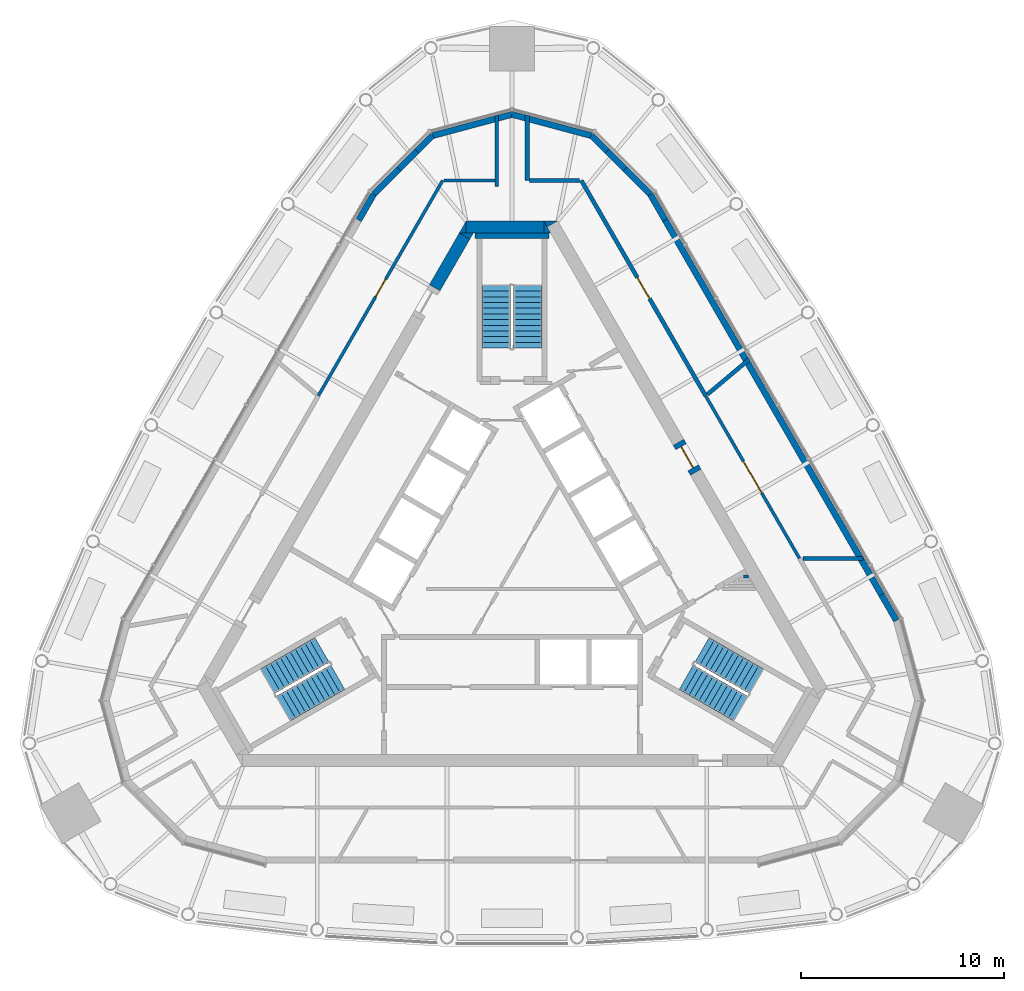
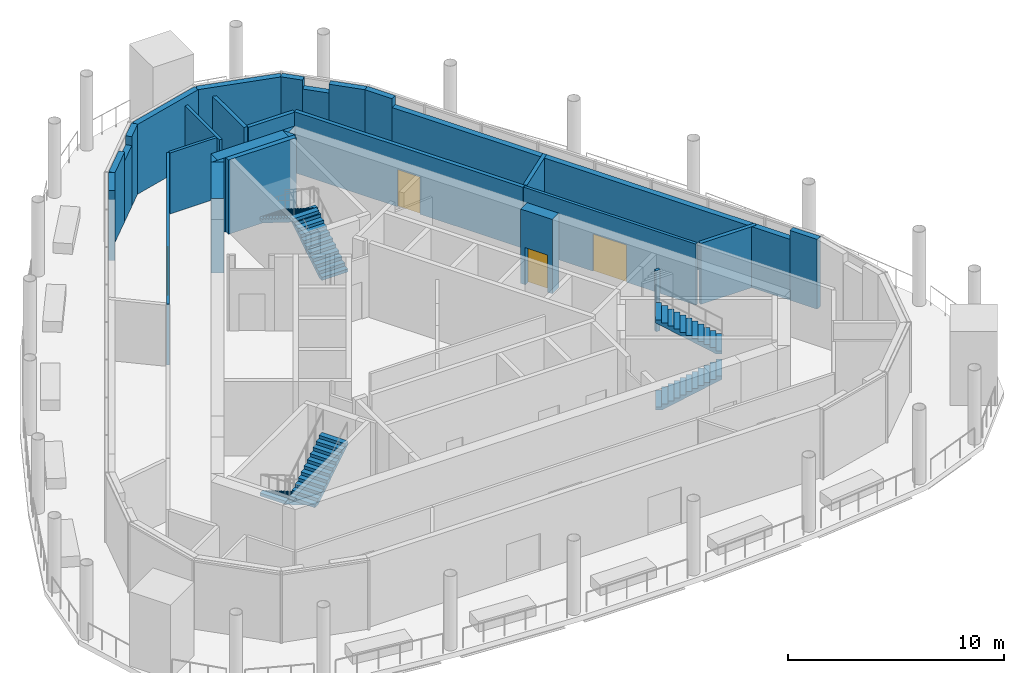
# One storey, part 9 of 15: 30 walls, 6 stair flights, 4 doors, 4 openings, 3 elements without a shape of their own.
"""IFC4 building model written with IfcOpenShell, lengths in metres."""

from ifc_helpers import new_model, si_unit, direction, frame, frame_2d, origin, place, context, subcontext, project, spatial, polyline, rectangle, outline, extrude, material, layer, layer_set, type_object, element, fill, aggregate, save


model = new_model("IFC4")

# Units and contexts
model_context = context("Model", 3, precision=1e-05, world=origin(), true_north=direction((0.0, 1.0)))
body_context = subcontext(model_context, "Body", "Model", "MODEL_VIEW")
ifc_project = project(units=[si_unit("LENGTHUNIT", "METRE"), si_unit("AREAUNIT", "SQUARE_METRE"), si_unit("VOLUMEUNIT", "CUBIC_METRE"), si_unit("PLANEANGLEUNIT", "RADIAN"), si_unit("MASSUNIT", "GRAM", prefix="KILO")], contexts=[model_context])

# Site, building, storey
site_placement = place(None, origin())
site = spatial("IfcSite", under=ifc_project, at=site_placement, CompositionType="ELEMENT")
building_placement = place(site_placement, origin())
building = spatial("IfcBuilding", under=site, at=building_placement, Name="Mestral Congress Tower", CompositionType="ELEMENT")
storey_placement = place(building_placement, frame((0.0, 0.0, 327.60009765625)))
storey = spatial("IfcBuildingStorey", under=building, at=storey_placement, Name="L76", CompositionType="ELEMENT", Elevation=327.60009765625)

# Walls
ifc_material_1 = material(Name="Fire-rated board partition")
ifc_layer_1 = layer(ifc_material_1, 0.14990234375)
ifc_layer_set_1 = layer_set([ifc_layer_1], Name="Fire-rated board partition")
wall_type_1 = type_object("IfcWallType", Name="Core partition 150", PredefinedType="PARTITIONING", material=ifc_layer_set_1)
wall_1_placement = place(storey_placement, frame((11.4013671875, -0.89990234375, 0.0), z_axis=(0.0, 0.0, 1.0), x_axis=(1.0, 0.0, 0.0)))
element("IfcWall", 1, at=wall_1_placement, inside=storey, type_object=wall_type_1, Name="L76 core wall", PredefinedType="PARTITIONING", context=body_context, shape_type="SweptSolid", body=[
    extrude(rectangle(XDim=0.224365234375, YDim=0.14990234375, at=frame_2d((0.1123046875, 0.0))), origin(), (0.0, 0.0, 1.0), 3.449951171875),
])
ifc_material_2 = material(Name="Concrete C60/75", Category="concrete")
ifc_layer_2 = layer(ifc_material_2, 0.60009765625)
ifc_layer_set_2 = layer_set([ifc_layer_2], Name="Concrete C60/75")
wall_type_2 = type_object("IfcWallType", Name="Core wall RC 600", PredefinedType="SOLIDWALL", material=ifc_layer_set_2)
placement = place(storey_placement, origin())
element("IfcWall", 2, at=placement, inside=storey, type_object=wall_type_2, Name="L76 core wall", PredefinedType="SOLIDWALL", context=body_context, shape_type="SweptSolid", body=[
    extrude(outline(polyline([(1.558837890625, 16.60009765625), (2.23486328125, 16.60009765625), (1.727783203125, 16.307373046875), (1.558837890625, 16.60009765625)])), origin(), (0.0, 0.0, 1.0), 4.199951171875),
])
wall_3_placement = place(storey_placement, frame((-2.258056640625, 16.300048828125, 0.0), z_axis=(0.0, 0.0, 1.0), x_axis=(1.0, 0.0, 0.0)))
element("IfcWall", 3, at=wall_3_placement, inside=storey, type_object=wall_type_2, Name="L76 core wall", PredefinedType="SOLIDWALL", context=body_context, shape_type="SweptSolid", body=[
    extrude(rectangle(XDim=3.8232421875, YDim=0.60009765625, at=frame_2d((1.91162109375, 0.0))), origin(), (0.0, 0.0, 1.0), 4.199951171875),
])
element("IfcWall", 4, at=placement, inside=storey, type_object=wall_type_2, Name="L76 core wall", PredefinedType="SOLIDWALL", context=body_context, shape_type="SweptSolid", body=[
    extrude(outline(polyline([(1.9052734375, 16.0), (1.5673828125, 16.0), (1.5673828125, 16.58544921875), (1.9052734375, 16.0)])), origin(), (0.0, 0.0, 1.0), 4.199951171875),
])
element("IfcWall", 5, at=placement, inside=storey, type_object=wall_type_2, Name="L76 core wall", PredefinedType="SOLIDWALL", context=body_context, shape_type="SweptSolid", body=[
    extrude(outline(polyline([(-2.59814453125, 16.0), (-2.260009765625, 16.58544921875), (-2.260009765625, 16.0), (-2.59814453125, 16.0)])), origin(), (0.0, 0.0, 1.0), 4.199951171875),
])
wall_6_placement = place(storey_placement, frame((-2.335205078125, 15.85546875, 0.0), z_axis=(0.0, 0.0, 1.0), x_axis=(-0.499960127962, -0.866048422692, 0.0)))
element("IfcWall", 6, at=wall_6_placement, inside=storey, type_object=wall_type_2, Name="L76 core wall", PredefinedType="SOLIDWALL", context=body_context, shape_type="SweptSolid", body=[
    extrude(rectangle(XDim=2.934326171875, YDim=0.60009765625, at=frame_2d((1.46728515625, 0.0))), origin(), (0.0, 0.0, 1.0), 4.199951171875),
])
element("IfcWall", 7, at=placement, inside=storey, type_object=wall_type_2, Name="L76 core wall", PredefinedType="SOLIDWALL", context=body_context, shape_type="SweptSolid", body=[
    extrude(outline(polyline([(-1.9052734375, 16.0), (-2.07421875, 15.707275390625), (-2.581298828125, 16.0), (-1.9052734375, 16.0)])), origin(), (0.0, 0.0, 1.0), 4.199951171875),
])

# Wall, opening, door
wall_8_placement = place(storey_placement, frame((8.19189453125, 5.711181640625, 0.0), z_axis=(0.0, 0.0, 1.0), x_axis=(0.500062241894, -0.865989465428, 0.0)))
wall_8 = element("IfcWall", 8, at=wall_8_placement, inside=storey, type_object=wall_type_2, Name="L76 door wall", PredefinedType="SOLIDWALL", context=body_context, shape_type="SweptSolid", body=[
    extrude(rectangle(XDim=1.699951171875, YDim=0.60009765625, at=frame_2d((0.85009765625, 0.0))), origin(), (0.0, 0.0, 1.0), 4.199951171875),
])
opening_1_placement = place(wall_8_placement, frame((0.25, 0.0, 0.0)))
opening_1 = element("IfcOpeningElement", 9, at=opening_1_placement, cuts=wall_8, Name="Opening XDL", PredefinedType="OPENING", context=body_context, shape_type="SweptSolid", body=[
    extrude(rectangle(XDim=1.199951171875, YDim=2.10009765625, at=frame_2d((0.60009765625, 1.050048828125))), frame((0.0, 0.31005859375, 0.0), z_axis=(0.0, -1.0, 0.0), x_axis=(1.0, 0.0, 0.0)), (0.0, 0.0, 1.0), 0.6201171875),
])
ifc_material_3 = material(Name="Fire-rated steel door set", Category="steel")
door_type_1 = type_object("IfcDoorType", Name="Core door XD 1200x2100", OperationType="SINGLE_SWING_LEFT", PredefinedType="DOOR", material=ifc_material_3)
door_1_placement = place(opening_1_placement, origin())
door_1 = element("IfcDoor", 10, at=door_1_placement, inside=storey, type_object=door_type_1, Name="Door XDL", OperationType="SINGLE_SWING_LEFT", OverallHeight=2.10009765625, OverallWidth=1.199951171875, PredefinedType="DOOR", context=body_context, shape_type="SweptSolid", body=[
    extrude(rectangle(XDim=1.199951171875, YDim=2.10009765625, at=frame_2d((0.60009765625, 1.050048828125))), frame((0.0, 0.02490234375, 0.0), z_axis=(0.0, -1.0, 0.0), x_axis=(1.0, 0.0, 0.0)), (0.0, 0.0, 1.0), 0.050048828125),
])
fill(opening_1, door_1)

# Walls
ifc_material_4 = material(Name="Precast concrete C40/50 with limestone facing", Category="masonry")
ifc_layer_3 = layer(ifc_material_4, 0.300048828125)
ifc_layer_set_3 = layer_set([ifc_layer_3], Name="Precast concrete C40/50 with limestone facing")
wall_type_3 = type_object("IfcWallType", Name="Crown plant block wall 300", PredefinedType="SOLIDWALL", material=ifc_layer_set_3)
wall_9_placement = place(storey_placement, frame((18.912841796875, -3.057861328125, 0.0), z_axis=(0.0, 0.0, 1.0), x_axis=(-0.500049712553, 0.865996700326, 0.0)))
element("IfcWall", 11, at=wall_9_placement, inside=storey, type_object=wall_type_3, Name="Plant block wall 5", PredefinedType="SOLIDWALL", context=body_context, shape_type="SweptSolid", body=[
    extrude(rectangle(XDim=1.463623046875, YDim=0.300048828125, at=frame_2d((0.73193359375, 0.0))), origin(), (0.0, 0.0, 1.0), 3.949951171875),
])
wall_10_placement = place(storey_placement, frame((7.5400390625, 16.64013671875, 0.0), z_axis=(0.0, 0.0, 1.0), x_axis=(-0.499977492351, 0.866038398192, 0.0)))
element("IfcWall", 12, at=wall_10_placement, inside=storey, type_object=wall_type_3, Name="Plant block wall 5", PredefinedType="SOLIDWALL", context=body_context, shape_type="SweptSolid", body=[
    extrude(rectangle(XDim=1.4638671875, YDim=0.300048828125, at=frame_2d((0.73193359375, 0.0))), origin(), (0.0, 0.0, 1.0), 3.949951171875),
])
wall_11_placement = place(storey_placement, frame((6.80810546875, 17.907958984375, 0.0), z_axis=(0.0, 0.0, 1.0), x_axis=(-0.707106781187, 0.707106781187, 0.0)))
element("IfcWall", 13, at=wall_11_placement, inside=storey, type_object=wall_type_3, Name="Plant block wall 6", PredefinedType="SOLIDWALL", context=body_context, shape_type="SweptSolid", body=[
    extrude(rectangle(XDim=1.751953125, YDim=0.300048828125, at=frame_2d((0.8759765625, 0.0))), origin(), (0.0, 0.0, 1.0), 3.949951171875),
])
wall_12_placement = place(storey_placement, frame((4.67529296875, 20.040771484375, 0.0), z_axis=(0.0, 0.0, 1.0), x_axis=(-0.707106781187, 0.707106781187, 0.0)))
element("IfcWall", 14, at=wall_12_placement, inside=storey, type_object=wall_type_3, Name="Plant block wall 6", PredefinedType="SOLIDWALL", context=body_context, shape_type="SweptSolid", body=[
    extrude(rectangle(XDim=1.064697265625, YDim=0.300048828125, at=frame_2d((0.5322265625, 0.0))), origin(), (0.0, 0.0, 1.0), 3.949951171875),
])
for number, where, z_axis, x_axis, name in (
    (15, (3.92236328125, 20.793701171875, 0.0), (0.0, 0.0, 1.0), (-0.965923898226, 0.258826240624, 0.0), "Plant block wall 7"),
    (16, (0.0, 21.8447265625, 0.0), (0.0, 0.0, 1.0), (-0.965923898226, -0.258826240624, 0.0), "Plant block wall 8"),
):
    element("IfcWall", number, at=place(storey_placement, frame(where, z_axis=z_axis, x_axis=x_axis)), inside=storey, type_object=wall_type_3, Name=name, PredefinedType="SOLIDWALL", context=body_context, shape_type="SweptSolid", body=[
        extrude(rectangle(XDim=4.060791015625, YDim=0.300048828125, at=frame_2d((2.0302734375, 0.0))), origin(), (0.0, 0.0, 1.0), 3.949951171875),
    ])
wall_13_placement = place(storey_placement, frame((-3.92236328125, 20.793701171875, 0.0), z_axis=(0.0, 0.0, 1.0), x_axis=(-0.707106781187, -0.707106781187, 0.0)))
element("IfcWall", 17, at=wall_13_placement, inside=storey, type_object=wall_type_3, Name="Plant block wall 9", PredefinedType="SOLIDWALL", context=body_context, shape_type="SweptSolid", body=[
    extrude(rectangle(XDim=1.064697265625, YDim=0.300048828125, at=frame_2d((0.5322265625, 0.0))), origin(), (0.0, 0.0, 1.0), 3.949951171875),
])
wall_14_placement = place(storey_placement, frame((-5.5693359375, 19.146728515625, 0.0), z_axis=(0.0, 0.0, 1.0), x_axis=(-0.707106781187, -0.707106781187, 0.0)))
element("IfcWall", 18, at=wall_14_placement, inside=storey, type_object=wall_type_3, Name="Plant block wall 9", PredefinedType="SOLIDWALL", context=body_context, shape_type="SweptSolid", body=[
    extrude(rectangle(XDim=1.751953125, YDim=0.300048828125, at=frame_2d((0.8759765625, 0.0))), origin(), (0.0, 0.0, 1.0), 3.949951171875),
])
wall_15_placement = place(storey_placement, frame((-6.80810546875, 17.907958984375, 0.0), z_axis=(0.0, 0.0, 1.0), x_axis=(-0.499977492351, -0.866038398192, 0.0)))
element("IfcWall", 19, at=wall_15_placement, inside=storey, type_object=wall_type_3, Name="Plant block wall 10", PredefinedType="SOLIDWALL", context=body_context, shape_type="SweptSolid", body=[
    extrude(rectangle(XDim=1.4638671875, YDim=0.300048828125, at=frame_2d((0.73193359375, 0.0))), origin(), (0.0, 0.0, 1.0), 3.949951171875),
])
ifc_layer_4 = layer(ifc_material_4, 0.300048828125)
ifc_layer_set_4 = layer_set([ifc_layer_4], Name="Precast concrete C40/50 with limestone facing")
wall_type_4 = type_object("IfcWallType", Name="Crown plant block wall 300 under girder", PredefinedType="SOLIDWALL", material=ifc_layer_set_4)
wall_16_placement = place(storey_placement, frame((18.180908203125, -1.790283203125, 0.0), z_axis=(0.0, 0.0, 1.0), x_axis=(-0.500002158106, 0.866024157798, 0.0)))
element("IfcWall", 20, at=wall_16_placement, inside=storey, type_object=wall_type_4, Name="Plant block wall 5", PredefinedType="SOLIDWALL", context=body_context, shape_type="SweptSolid", body=[
    extrude(rectangle(XDim=21.28173828125, YDim=0.300048828125, at=frame_2d((10.640869140625, 0.0))), origin(), (0.0, 0.0, 1.0), 3.449951171875),
])
for number, where, z_axis, x_axis, name in (
    (21, (5.5693359375, 19.146728515625, 0.0), (0.0, 0.0, 1.0), (-0.707106781187, 0.707106781187, 0.0), "Plant block wall 6"),
    (22, (-4.67529296875, 20.040771484375, 0.0), (0.0, 0.0, 1.0), (-0.707106781187, -0.707106781187, 0.0), "Plant block wall 9"),
):
    element("IfcWall", number, at=place(storey_placement, frame(where, z_axis=z_axis, x_axis=x_axis)), inside=storey, type_object=wall_type_4, Name=name, PredefinedType="SOLIDWALL", context=body_context, shape_type="SweptSolid", body=[
        extrude(rectangle(XDim=1.264404296875, YDim=0.300048828125, at=frame_2d((0.63232421875, 0.0))), origin(), (0.0, 0.0, 1.0), 3.449951171875),
    ])

# Wall, opening, door
ifc_layer_5 = layer(ifc_material_1, 0.14990234375)
ifc_layer_set_5 = layer_set([ifc_layer_5], Name="Fire-rated board partition")
wall_type_5 = type_object("IfcWallType", Name="Special partition 150 EI 180", PredefinedType="PARTITIONING", material=ifc_layer_set_5)
wall_17_placement = place(storey_placement, frame((-3.406494140625, 18.60009765625, 0.0), z_axis=(0.0, 0.0, 1.0), x_axis=(-0.499991334387, -0.866030406821, 0.0)))
wall_17 = element("IfcWall", 23, at=wall_17_placement, inside=storey, type_object=wall_type_5, Name="Partition", PredefinedType="PARTITIONING", context=body_context, shape_type="SweptSolid", body=[
    extrude(rectangle(XDim=12.235107421875, YDim=0.14990234375, at=frame_2d((6.11767578125, 0.0))), origin(), (0.0, 0.0, 1.0), 3.449951171875),
])
opening_2_placement = place(wall_17_placement, frame((5.617431640625, 0.0, 0.0)))
opening_2 = element("IfcOpeningElement", 24, at=opening_2_placement, cuts=wall_17, Name="Opening K76-008", PredefinedType="OPENING", context=body_context, shape_type="SweptSolid", body=[
    extrude(rectangle(XDim=1.0, YDim=2.10009765625, at=frame_2d((0.5, 1.050048828125))), frame((0.0, 0.0849609375, 0.0), z_axis=(0.0, -1.0, 0.0), x_axis=(1.0, 0.0, 0.0)), (0.0, 0.0, 1.0), 0.169921875),
])
door_type_2 = type_object("IfcDoorType", Name="Assembly door 1000x2100", OperationType="SINGLE_SWING_LEFT", PredefinedType="DOOR", material=ifc_material_3)
door_2_placement = place(opening_2_placement, origin())
door_2 = element("IfcDoor", 25, at=door_2_placement, inside=storey, type_object=door_type_2, Name="Door K76-008", OperationType="SINGLE_SWING_RIGHT", OverallHeight=2.10009765625, OverallWidth=1.0, PredefinedType="DOOR", context=body_context, shape_type="SweptSolid", body=[
    extrude(rectangle(XDim=1.0, YDim=2.10009765625, at=frame_2d((0.5, 1.050048828125))), frame((0.0, 0.02490234375, 0.0), z_axis=(0.0, -1.0, 0.0), x_axis=(1.0, 0.0, 0.0)), (0.0, 0.0, 1.0), 0.050048828125),
])
fill(opening_2, door_2)

wall_18_placement = place(storey_placement, frame((14.145263671875, -0.000244140625, 0.0), z_axis=(0.0, 0.0, 1.0), x_axis=(-0.500008111839, 0.866020720362, 0.0)))
wall_18 = element("IfcWall", 26, at=wall_18_placement, inside=storey, type_object=wall_type_5, Name="Partition", PredefinedType="PARTITIONING", context=body_context, shape_type="SweptSolid", body=[
    extrude(rectangle(XDim=9.222900390625, YDim=0.14990234375, at=frame_2d((4.611328125, 0.0))), origin(), (0.0, 0.0, 1.0), 3.449951171875),
])
opening_3_placement = place(wall_18_placement, frame((3.71142578125, 0.0, 0.0)))
opening_3 = element("IfcOpeningElement", 27, at=opening_3_placement, cuts=wall_18, Name="Opening K76-006", PredefinedType="OPENING", context=body_context, shape_type="SweptSolid", body=[
    extrude(rectangle(XDim=1.800048828125, YDim=2.10009765625, at=frame_2d((0.89990234375, 1.050048828125))), frame((0.0, 0.0849609375, 0.0), z_axis=(0.0, -1.0, 0.0), x_axis=(1.0, 0.0, 0.0)), (0.0, 0.0, 1.0), 0.169921875),
])
door_type_3 = type_object("IfcDoorType", Name="Assembly double door 1800x2100", OperationType="DOUBLE_DOOR_SINGLE_SWING", PredefinedType="DOOR", material=ifc_material_3)
door_3_placement = place(opening_3_placement, origin())
door_3 = element("IfcDoor", 28, at=door_3_placement, inside=storey, type_object=door_type_3, Name="Door K76-006", OperationType="DOUBLE_DOOR_SINGLE_SWING", OverallHeight=2.10009765625, OverallWidth=1.800048828125, PredefinedType="DOOR", context=body_context, shape_type="SweptSolid", body=[
    extrude(rectangle(XDim=1.800048828125, YDim=2.10009765625, at=frame_2d((0.89990234375, 1.050048828125))), frame((0.0, 0.02490234375, 0.0), z_axis=(0.0, -1.0, 0.0), x_axis=(1.0, 0.0, 0.0)), (0.0, 0.0, 1.0), 0.050048828125),
])
fill(opening_3, door_3)

# Walls
wall_19_placement = place(storey_placement, frame((-0.75, 18.300048828125, 0.0), z_axis=(0.0, 0.0, 1.0), x_axis=(0.0, 1.0, 0.0)))
element("IfcWall", 29, at=wall_19_placement, inside=storey, type_object=wall_type_5, Name="Partition", PredefinedType="PARTITIONING", context=body_context, shape_type="SweptSolid", body=[
    extrude(rectangle(XDim=3.488525390625, YDim=0.14990234375, at=frame_2d((1.744140625, 0.0))), origin(), (0.0, 0.0, 1.0), 3.449951171875),
])
wall_20_placement = place(storey_placement, frame((-3.33642578125, 18.60009765625, 0.0), z_axis=(0.0, 0.0, 1.0), x_axis=(1.0, 0.0, 0.0)))
element("IfcWall", 30, at=wall_20_placement, inside=storey, type_object=wall_type_5, Name="Partition", PredefinedType="PARTITIONING", context=body_context, shape_type="SweptSolid", body=[
    extrude(rectangle(XDim=2.50634765625, YDim=0.14990234375, at=frame_2d((1.253173828125, 0.0))), origin(), (0.0, 0.0, 1.0), 3.449951171875),
])

# Wall, opening, door
ifc_material_5 = material(Name="Concrete block wall, plastered", Category="concrete")
ifc_layer_6 = layer(ifc_material_5, 0.199951171875)
ifc_layer_set_6 = layer_set([ifc_layer_6], Name="Concrete block wall, plastered")
wall_type_6 = type_object("IfcWallType", Name="Special partition 200 EI 120", PredefinedType="PARTITIONING", material=ifc_layer_set_6)
wall_21_placement = place(storey_placement, frame((9.52880859375, 7.995361328125, 0.0), z_axis=(0.0, 0.0, 1.0), x_axis=(-0.499979608858, 0.866037176296, 0.0)))
wall_21 = element("IfcWall", 31, at=wall_21_placement, inside=storey, type_object=wall_type_6, Name="Partition", PredefinedType="PARTITIONING", context=body_context, shape_type="SweptSolid", body=[
    extrude(rectangle(XDim=12.2451171875, YDim=0.199951171875, at=frame_2d((6.12255859375, 0.0))), origin(), (0.0, 0.0, 1.0), 3.449951171875),
])
opening_4_placement = place(wall_21_placement, frame((5.5224609375, 0.0, 0.0)))
opening_4 = element("IfcOpeningElement", 32, at=opening_4_placement, cuts=wall_21, Name="Opening K76-007", PredefinedType="OPENING", context=body_context, shape_type="SweptSolid", body=[
    extrude(rectangle(XDim=1.199951171875, YDim=2.10009765625, at=frame_2d((0.60009765625, 1.050048828125))), frame((0.0, 0.10986328125, 0.0), z_axis=(0.0, -1.0, 0.0), x_axis=(1.0, 0.0, 0.0)), (0.0, 0.0, 1.0), 0.219970703125),
])
door_type_4 = type_object("IfcDoorType", Name="Refuge door 1200x2100", OperationType="SINGLE_SWING_LEFT", PredefinedType="DOOR", material=ifc_material_3)
door_4_placement = place(opening_4_placement, origin())
door_4 = element("IfcDoor", 33, at=door_4_placement, inside=storey, type_object=door_type_4, Name="Door K76-007", OperationType="SINGLE_SWING_RIGHT", OverallHeight=2.10009765625, OverallWidth=1.199951171875, PredefinedType="DOOR", context=body_context, shape_type="SweptSolid", body=[
    extrude(rectangle(XDim=1.199951171875, YDim=2.10009765625, at=frame_2d((0.60009765625, 1.050048828125))), frame((0.0, 0.02490234375, 0.0), z_axis=(0.0, -1.0, 0.0), x_axis=(1.0, 0.0, 0.0)), (0.0, 0.0, 1.0), 0.050048828125),
])
fill(opening_4, door_4)

# Walls
wall_22_placement = place(storey_placement, frame((0.75, 21.78857421875, 0.0), z_axis=(0.0, 0.0, 1.0), x_axis=(0.0, -1.0, 0.0)))
element("IfcWall", 34, at=wall_22_placement, inside=storey, type_object=wall_type_6, Name="Partition", PredefinedType="PARTITIONING", context=body_context, shape_type="SweptSolid", body=[
    extrude(rectangle(XDim=3.1884765625, YDim=0.199951171875, at=frame_2d((1.59423828125, 0.0))), origin(), (0.0, 0.0, 1.0), 3.449951171875),
])
wall_23_placement = place(storey_placement, frame((14.315185546875, 0.0, 0.0), z_axis=(0.0, 0.0, 1.0), x_axis=(1.0, 0.0, 0.0)))
element("IfcWall", 35, at=wall_23_placement, inside=storey, type_object=wall_type_6, Name="Partition", PredefinedType="PARTITIONING", context=body_context, shape_type="SweptSolid", body=[
    extrude(rectangle(XDim=2.958984375, YDim=0.199951171875, at=frame_2d((1.4794921875, 0.0))), origin(), (0.0, 0.0, 1.0), 3.449951171875),
])
wall_24_placement = place(storey_placement, frame((0.85009765625, 18.60009765625, 0.0), z_axis=(0.0, 0.0, 1.0), x_axis=(1.0, 0.0, 0.0)))
element("IfcWall", 36, at=wall_24_placement, inside=storey, type_object=wall_type_6, Name="Partition", PredefinedType="PARTITIONING", context=body_context, shape_type="SweptSolid", body=[
    extrude(rectangle(XDim=2.46630859375, YDim=0.199951171875, at=frame_2d((1.233154296875, 0.0))), origin(), (0.0, 0.0, 1.0), 3.449951171875),
])
wall_25_placement = place(storey_placement, frame((9.62060546875, 8.07275390625, 0.0), z_axis=(0.0, 0.0, 1.0), x_axis=(0.766049084948, 0.64278207773, 0.0)))
element("IfcWall", 37, at=wall_25_placement, inside=storey, type_object=wall_type_6, Name="Partition", PredefinedType="PARTITIONING", context=body_context, shape_type="SweptSolid", body=[
    extrude(rectangle(XDim=2.667724609375, YDim=0.199951171875, at=frame_2d((1.333984375, 0.0))), origin(), (0.0, 0.0, 1.0), 3.449951171875),
])
ifc_layer_7 = layer(ifc_material_2, 0.25)
ifc_layer_set_7 = layer_set([ifc_layer_7], Name="Concrete C60/75")
wall_type_7 = type_object("IfcWallType", Name="Stair wall RC 250", PredefinedType="SOLIDWALL", material=ifc_layer_set_7)
wall_26_placement = place(storey_placement, frame((-1.81689453125, 15.875, 0.0), z_axis=(0.0, 0.0, 1.0), x_axis=(1.0, 0.0, 0.0)))
element("IfcWall", 38, at=wall_26_placement, inside=storey, type_object=wall_type_7, Name="L76 core wall", PredefinedType="SOLIDWALL", context=body_context, shape_type="SweptSolid", body=[
    extrude(rectangle(XDim=3.6337890625, YDim=0.25, at=frame_2d((1.81689453125, 0.0))), origin(), (0.0, 0.0, 1.0), 4.199951171875),
])

# Stair, stair flights
stair_type = type_object("IfcStairType", Name="Exit stair 1400", PredefinedType="HALF_TURN_STAIR", material=ifc_material_2)
stair_1 = element("IfcStair", 39, at=placement, inside=storey, type_object=stair_type, Name="L76 ST1", PredefinedType="HALF_TURN_STAIR")
stair_flight_type = type_object("IfcStairFlightType", Name="Exit stair flight 1400", PredefinedType="STRAIGHT", material=ifc_material_2)
stair_flight_1_placement = place(storey_placement, frame((8.575927734375, -5.84619140625, 0.0), z_axis=(0.0, 0.0, 1.0), x_axis=(0.866025403784, -0.5, 0.0)))
stair_flight_1 = element("IfcStairFlight", 40, at=stair_flight_1_placement, type_object=stair_flight_type, Name="ST1 flight 1", NumberOfRisers=12, NumberOfTreads=11, PredefinedType="STRAIGHT", RiserHeight=0.175, TreadLength=0.28, context=body_context, shape_type="SweptSolid", body=[
    extrude(outline(polyline([(0.0, 0.0), (0.0, 0.175048828125), (0.280029296875, 0.175048828125), (0.280029296875, 0.35009765625), (0.56005859375, 0.35009765625), (0.56005859375, 0.52490234375), (0.840087890625, 0.52490234375), (0.840087890625, 0.699951171875), (1.1201171875, 0.699951171875), (1.1201171875, 0.875), (1.39990234375, 0.875), (1.39990234375, 1.050048828125), (1.679931640625, 1.050048828125), (1.679931640625, 1.22509765625), (1.9599609375, 1.22509765625), (1.9599609375, 1.39990234375), (2.239990234375, 1.39990234375), (2.239990234375, 1.574951171875), (2.52001953125, 1.574951171875), (2.52001953125, 1.75), (2.800048828125, 1.75), (2.800048828125, 1.925048828125), (3.080078125, 1.925048828125), (3.080078125, 2.10009765625), (3.080078125, 1.748291015625), (0.28271484375, 0.0), (0.0, 0.0)])), frame((0.0, 0.699951171875, 0.0), z_axis=(0.0, -1.0, 0.0), x_axis=(1.0, 0.0, 0.0)), (0.0, 0.0, 1.0), 1.39990234375),
])
stair_flight_2_placement = place(storey_placement, frame((12.018310546875, -6.0439453125, 2.099853515625), z_axis=(0.0, 0.0, 1.0), x_axis=(-0.866025403784, 0.5, 0.0)))
stair_flight_2 = element("IfcStairFlight", 41, at=stair_flight_2_placement, type_object=stair_flight_type, Name="ST1 flight 2", NumberOfRisers=12, NumberOfTreads=11, PredefinedType="STRAIGHT", RiserHeight=0.175, TreadLength=0.28, context=body_context, shape_type="SweptSolid", body=[
    extrude(outline(polyline([(0.0, 0.0), (0.0, 0.175048828125), (0.280029296875, 0.175048828125), (0.280029296875, 0.35009765625), (0.56005859375, 0.35009765625), (0.56005859375, 0.52490234375), (0.840087890625, 0.52490234375), (0.840087890625, 0.699951171875), (1.1201171875, 0.699951171875), (1.1201171875, 0.875), (1.39990234375, 0.875), (1.39990234375, 1.050048828125), (1.679931640625, 1.050048828125), (1.679931640625, 1.22509765625), (1.9599609375, 1.22509765625), (1.9599609375, 1.39990234375), (2.239990234375, 1.39990234375), (2.239990234375, 1.574951171875), (2.52001953125, 1.574951171875), (2.52001953125, 1.75), (2.800048828125, 1.75), (2.800048828125, 1.925048828125), (3.080078125, 1.925048828125), (3.080078125, 2.10009765625), (3.080078125, 1.748291015625), (0.28271484375, 0.0), (0.0, 0.0)])), frame((0.0, 0.699951171875, 0.0), z_axis=(0.0, -1.0, 0.0), x_axis=(1.0, 0.0, 0.0)), (0.0, 0.0, 1.0), 1.39990234375),
])
aggregate(stair_1, [stair_flight_1, stair_flight_2])

stair_2 = element("IfcStair", 42, at=placement, inside=storey, type_object=stair_type, Name="L76 ST2", PredefinedType="HALF_TURN_STAIR")
stair_flight_3_placement = place(storey_placement, frame((0.77490234375, 10.35009765625, 0.0), z_axis=(0.0, 0.0, 1.0), x_axis=(0.0, 1.0, 0.0)))
stair_flight_3 = element("IfcStairFlight", 43, at=stair_flight_3_placement, type_object=stair_flight_type, Name="ST2 flight 1", NumberOfRisers=12, NumberOfTreads=11, PredefinedType="STRAIGHT", RiserHeight=0.175, TreadLength=0.28, context=body_context, shape_type="SweptSolid", body=[
    extrude(outline(polyline([(0.0, 0.0), (0.0, 0.175048828125), (0.280029296875, 0.175048828125), (0.280029296875, 0.35009765625), (0.56005859375, 0.35009765625), (0.56005859375, 0.52490234375), (0.840087890625, 0.52490234375), (0.840087890625, 0.699951171875), (1.1201171875, 0.699951171875), (1.1201171875, 0.875), (1.39990234375, 0.875), (1.39990234375, 1.050048828125), (1.679931640625, 1.050048828125), (1.679931640625, 1.22509765625), (1.9599609375, 1.22509765625), (1.9599609375, 1.39990234375), (2.239990234375, 1.39990234375), (2.239990234375, 1.574951171875), (2.52001953125, 1.574951171875), (2.52001953125, 1.75), (2.800048828125, 1.75), (2.800048828125, 1.925048828125), (3.080078125, 1.925048828125), (3.080078125, 2.10009765625), (3.080078125, 1.748291015625), (0.28271484375, 0.0), (0.0, 0.0)])), frame((0.0, 0.699951171875, 0.0), z_axis=(0.0, -1.0, 0.0), x_axis=(1.0, 0.0, 0.0)), (0.0, 0.0, 1.0), 1.39990234375),
])
stair_flight_4_placement = place(storey_placement, frame((-0.77490234375, 13.429931640625, 2.099853515625), z_axis=(0.0, 0.0, 1.0), x_axis=(0.0, -1.0, 0.0)))
stair_flight_4 = element("IfcStairFlight", 44, at=stair_flight_4_placement, type_object=stair_flight_type, Name="ST2 flight 2", NumberOfRisers=12, NumberOfTreads=11, PredefinedType="STRAIGHT", RiserHeight=0.175, TreadLength=0.28, context=body_context, shape_type="SweptSolid", body=[
    extrude(outline(polyline([(0.0, 0.0), (0.0, 0.175048828125), (0.280029296875, 0.175048828125), (0.280029296875, 0.35009765625), (0.56005859375, 0.35009765625), (0.56005859375, 0.52490234375), (0.840087890625, 0.52490234375), (0.840087890625, 0.699951171875), (1.1201171875, 0.699951171875), (1.1201171875, 0.875), (1.39990234375, 0.875), (1.39990234375, 1.050048828125), (1.679931640625, 1.050048828125), (1.679931640625, 1.22509765625), (1.9599609375, 1.22509765625), (1.9599609375, 1.39990234375), (2.239990234375, 1.39990234375), (2.239990234375, 1.574951171875), (2.52001953125, 1.574951171875), (2.52001953125, 1.75), (2.800048828125, 1.75), (2.800048828125, 1.925048828125), (3.080078125, 1.925048828125), (3.080078125, 2.10009765625), (3.080078125, 1.748291015625), (0.28271484375, 0.0), (0.0, 0.0)])), frame((0.0, 0.699951171875, 0.0), z_axis=(0.0, -1.0, 0.0), x_axis=(1.0, 0.0, 0.0)), (0.0, 0.0, 1.0), 1.39990234375),
])
aggregate(stair_2, [stair_flight_3, stair_flight_4])

stair_3 = element("IfcStair", 45, at=placement, inside=storey, type_object=stair_type, Name="L76 ST3", PredefinedType="HALF_TURN_STAIR")
stair_flight_5_placement = place(storey_placement, frame((-9.350830078125, -4.50390625, 0.0), z_axis=(0.0, 0.0, 1.0), x_axis=(-0.866025403784, -0.5, 0.0)))
stair_flight_5 = element("IfcStairFlight", 46, at=stair_flight_5_placement, type_object=stair_flight_type, Name="ST3 flight 1", NumberOfRisers=12, NumberOfTreads=11, PredefinedType="STRAIGHT", RiserHeight=0.175, TreadLength=0.28, context=body_context, shape_type="SweptSolid", body=[
    extrude(outline(polyline([(0.0, 0.0), (0.0, 0.175048828125), (0.280029296875, 0.175048828125), (0.280029296875, 0.35009765625), (0.56005859375, 0.35009765625), (0.56005859375, 0.52490234375), (0.840087890625, 0.52490234375), (0.840087890625, 0.699951171875), (1.1201171875, 0.699951171875), (1.1201171875, 0.875), (1.39990234375, 0.875), (1.39990234375, 1.050048828125), (1.679931640625, 1.050048828125), (1.679931640625, 1.22509765625), (1.9599609375, 1.22509765625), (1.9599609375, 1.39990234375), (2.239990234375, 1.39990234375), (2.239990234375, 1.574951171875), (2.52001953125, 1.574951171875), (2.52001953125, 1.75), (2.800048828125, 1.75), (2.800048828125, 1.925048828125), (3.080078125, 1.925048828125), (3.080078125, 2.10009765625), (3.080078125, 1.748291015625), (0.28271484375, 0.0), (0.0, 0.0)])), frame((0.0, 0.699951171875, 0.0), z_axis=(0.0, -1.0, 0.0), x_axis=(1.0, 0.0, 0.0)), (0.0, 0.0, 1.0), 1.39990234375),
])
stair_flight_6_placement = place(storey_placement, frame((-11.2431640625, -7.38623046875, 2.099853515625), z_axis=(0.0, 0.0, 1.0), x_axis=(0.866025403784, 0.5, 0.0)))
stair_flight_6 = element("IfcStairFlight", 47, at=stair_flight_6_placement, type_object=stair_flight_type, Name="ST3 flight 2", NumberOfRisers=12, NumberOfTreads=11, PredefinedType="STRAIGHT", RiserHeight=0.175, TreadLength=0.28, context=body_context, shape_type="SweptSolid", body=[
    extrude(outline(polyline([(0.0, 0.0), (0.0, 0.175048828125), (0.280029296875, 0.175048828125), (0.280029296875, 0.35009765625), (0.56005859375, 0.35009765625), (0.56005859375, 0.52490234375), (0.840087890625, 0.52490234375), (0.840087890625, 0.699951171875), (1.1201171875, 0.699951171875), (1.1201171875, 0.875), (1.39990234375, 0.875), (1.39990234375, 1.050048828125), (1.679931640625, 1.050048828125), (1.679931640625, 1.22509765625), (1.9599609375, 1.22509765625), (1.9599609375, 1.39990234375), (2.239990234375, 1.39990234375), (2.239990234375, 1.574951171875), (2.52001953125, 1.574951171875), (2.52001953125, 1.75), (2.800048828125, 1.75), (2.800048828125, 1.925048828125), (3.080078125, 1.925048828125), (3.080078125, 2.10009765625), (3.080078125, 1.748291015625), (0.28271484375, 0.0), (0.0, 0.0)])), frame((0.0, 0.699951171875, 0.0), z_axis=(0.0, -1.0, 0.0), x_axis=(1.0, 0.0, 0.0)), (0.0, 0.0, 1.0), 1.39990234375),
])
aggregate(stair_3, [stair_flight_5, stair_flight_6])

save(model, "model.ifc")
